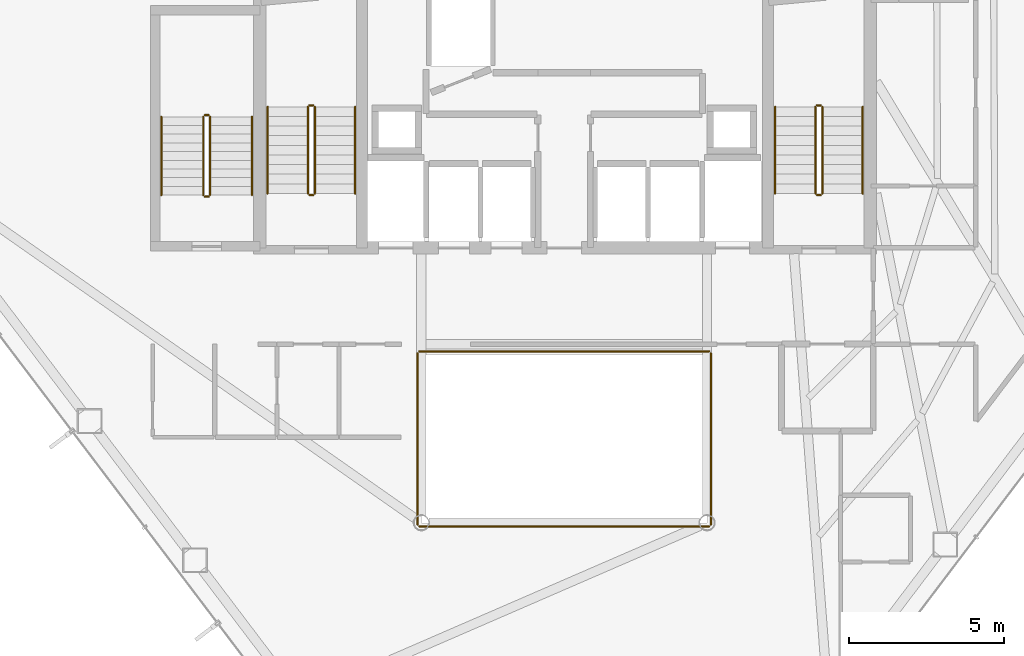
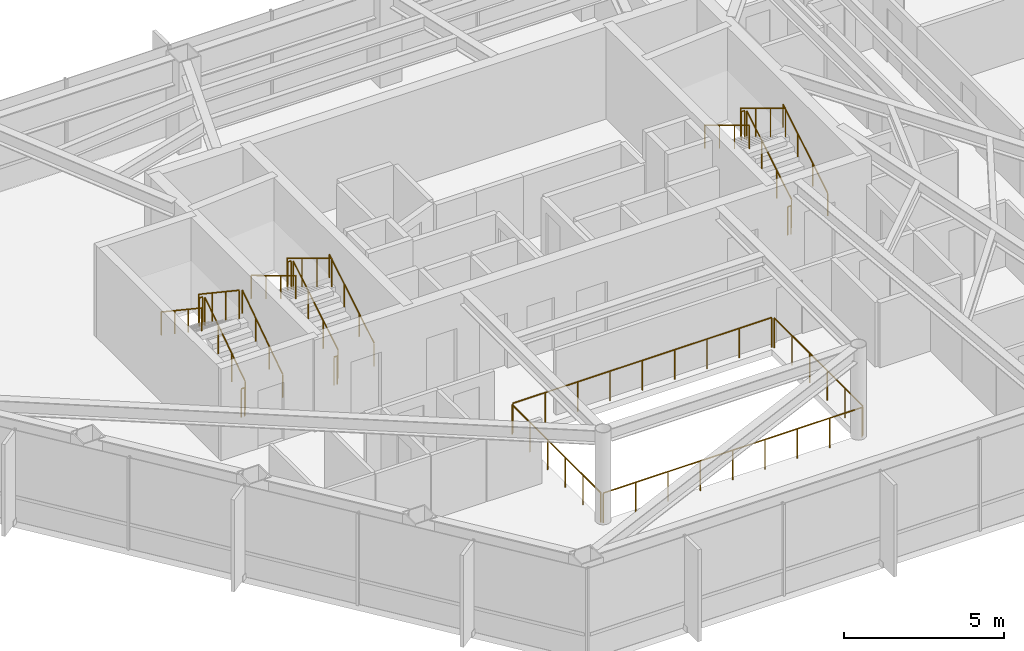
# One storey, part 28 of 28: 22 railings.
"""IFC4 building model written with IfcOpenShell, lengths in metres."""

from ifc_helpers import new_model, si_unit, direction, frame, origin, origin_2d, place, context, subcontext, project, spatial, circle, extrude, material, type_object, element, save


model = new_model("IFC4")

# Units and contexts
model_context = context("Model", 3, precision=1e-05, world=origin(), true_north=direction((0.0, 1.0)))
body_context = subcontext(model_context, "Body", "Model", "MODEL_VIEW")
ifc_project = project(units=[si_unit("LENGTHUNIT", "METRE"), si_unit("AREAUNIT", "SQUARE_METRE"), si_unit("VOLUMEUNIT", "CUBIC_METRE"), si_unit("PLANEANGLEUNIT", "RADIAN"), si_unit("MASSUNIT", "GRAM", prefix="KILO")], contexts=[model_context])

# Site, building, storey
site_placement = place(None, origin())
site = spatial("IfcSite", under=ifc_project, at=site_placement, CompositionType="ELEMENT")
building_placement = place(site_placement, origin())
building = spatial("IfcBuilding", under=site, at=building_placement, Name="Zarrinselat Tower", CompositionType="ELEMENT")
storey_placement = place(building_placement, frame((0.0, 0.0, 127.159912109375)))
storey = spatial("IfcBuildingStorey", under=building, at=storey_placement, Name="L30", CompositionType="ELEMENT", Elevation=127.159912109375)

# Railings
ifc_material_1 = material(Name="Double Low-E Laminated Solar Glass", Category="glass")
railing_type_1 = type_object("IfcRailingType", Name="RLG-ATRIUM-BAL", PredefinedType="BALUSTRADE", material=ifc_material_1)
railing_1_placement = place(storey_placement, frame((33.739990234375, 24.280029296875, 0.0)))
element("IfcRailing", 1, at=railing_1_placement, inside=storey, type_object=railing_type_1, Name="L30 Atrium Void Glass Balustrade S", PredefinedType="BALUSTRADE", context=body_context, shape_type="SweptSolid", body=[
    extrude(circle(Radius=0.02392578125, at=origin_2d()), frame((0.0, 0.0, 1.1259765625), z_axis=(1.0, 0.0, 0.0), x_axis=(0.0, 1.0, 0.0)), (0.0, 0.0, 1.0), 9.320068359375),
    extrude(circle(Radius=0.02099609375, at=origin_2d()), origin(), (0.0, 0.0, 1.0), 1.099853515625),
    extrude(circle(Radius=0.02099609375, at=origin_2d()), frame((1.1650390625, 0.0, 0.0)), (0.0, 0.0, 1.0), 1.099853515625),
    extrude(circle(Radius=0.02099609375, at=origin_2d()), frame((2.330078125, 0.0, 0.0)), (0.0, 0.0, 1.0), 1.099853515625),
    extrude(circle(Radius=0.02099609375, at=origin_2d()), frame((3.4951171875, 0.0, 0.0)), (0.0, 0.0, 1.0), 1.099853515625),
    extrude(circle(Radius=0.02099609375, at=origin_2d()), frame((4.66015625, 0.0, 0.0)), (0.0, 0.0, 1.0), 1.099853515625),
    extrude(circle(Radius=0.02099609375, at=origin_2d()), frame((5.824951171875, 0.0, 0.0)), (0.0, 0.0, 1.0), 1.099853515625),
    extrude(circle(Radius=0.02099609375, at=origin_2d()), frame((6.989990234375, 0.0, 0.0)), (0.0, 0.0, 1.0), 1.099853515625),
    extrude(circle(Radius=0.02099609375, at=origin_2d()), frame((8.155029296875, 0.0, 0.0)), (0.0, 0.0, 1.0), 1.099853515625),
    extrude(circle(Radius=0.02099609375, at=origin_2d()), frame((9.320068359375, 0.0, 0.0)), (0.0, 0.0, 1.0), 1.099853515625),
])
railing_2_placement = place(storey_placement, frame((43.1201171875, 24.340087890625, 0.0)))
element("IfcRailing", 2, at=railing_2_placement, inside=storey, type_object=railing_type_1, Name="L30 Atrium Void Glass Balustrade E", PredefinedType="BALUSTRADE", context=body_context, shape_type="SweptSolid", body=[
    extrude(circle(Radius=0.02392578125, at=origin_2d()), frame((0.0, 0.0, 1.1259765625), z_axis=(0.0, 1.0, 0.0), x_axis=(-1.0, 0.0, 0.0)), (0.0, 0.0, 1.0), 5.52001953125),
    extrude(circle(Radius=0.02099609375, at=origin_2d()), origin(), (0.0, 0.0, 1.0), 1.099853515625),
    extrude(circle(Radius=0.02099609375, at=origin_2d()), frame((0.0, 1.10400390625, 0.0)), (0.0, 0.0, 1.0), 1.099853515625),
    extrude(circle(Radius=0.02099609375, at=origin_2d()), frame((0.0, 2.2080078125, 0.0)), (0.0, 0.0, 1.0), 1.099853515625),
    extrude(circle(Radius=0.02099609375, at=origin_2d()), frame((0.0, 3.31201171875, 0.0)), (0.0, 0.0, 1.0), 1.099853515625),
    extrude(circle(Radius=0.02099609375, at=origin_2d()), frame((0.0, 4.416015625, 0.0)), (0.0, 0.0, 1.0), 1.099853515625),
    extrude(circle(Radius=0.02099609375, at=origin_2d()), frame((0.0, 5.52001953125, 0.0)), (0.0, 0.0, 1.0), 1.099853515625),
])
railing_3_placement = place(storey_placement, frame((43.06005859375, 29.919921875, 0.0)))
element("IfcRailing", 3, at=railing_3_placement, inside=storey, type_object=railing_type_1, Name="L30 Atrium Void Glass Balustrade N", PredefinedType="BALUSTRADE", context=body_context, shape_type="SweptSolid", body=[
    extrude(circle(Radius=0.02392578125, at=origin_2d()), frame((0.0, 0.0, 1.1259765625), z_axis=(-1.0, 0.0, 0.0), x_axis=(0.0, -1.0, 0.0)), (0.0, 0.0, 1.0), 9.320068359375),
    extrude(circle(Radius=0.02099609375, at=origin_2d()), origin(), (0.0, 0.0, 1.0), 1.099853515625),
    extrude(circle(Radius=0.02099609375, at=origin_2d()), frame((-1.1650390625, 0.0, 0.0)), (0.0, 0.0, 1.0), 1.099853515625),
    extrude(circle(Radius=0.02099609375, at=origin_2d()), frame((-2.330078125, 0.0, 0.0)), (0.0, 0.0, 1.0), 1.099853515625),
    extrude(circle(Radius=0.02099609375, at=origin_2d()), frame((-3.4951171875, 0.0, 0.0)), (0.0, 0.0, 1.0), 1.099853515625),
    extrude(circle(Radius=0.02099609375, at=origin_2d()), frame((-4.66015625, 0.0, 0.0)), (0.0, 0.0, 1.0), 1.099853515625),
    extrude(circle(Radius=0.02099609375, at=origin_2d()), frame((-5.824951171875, 0.0, 0.0)), (0.0, 0.0, 1.0), 1.099853515625),
    extrude(circle(Radius=0.02099609375, at=origin_2d()), frame((-6.989990234375, 0.0, 0.0)), (0.0, 0.0, 1.0), 1.099853515625),
    extrude(circle(Radius=0.02099609375, at=origin_2d()), frame((-8.155029296875, 0.0, 0.0)), (0.0, 0.0, 1.0), 1.099853515625),
    extrude(circle(Radius=0.02099609375, at=origin_2d()), frame((-9.320068359375, 0.0, 0.0)), (0.0, 0.0, 1.0), 1.099853515625),
])
railing_4_placement = place(storey_placement, frame((33.679931640625, 29.860107421875, 0.0)))
element("IfcRailing", 4, at=railing_4_placement, inside=storey, type_object=railing_type_1, Name="L30 Atrium Void Glass Balustrade W", PredefinedType="BALUSTRADE", context=body_context, shape_type="SweptSolid", body=[
    extrude(circle(Radius=0.02392578125, at=origin_2d()), frame((0.0, 0.0, 1.1259765625), z_axis=(0.0, -1.0, 0.0), x_axis=(1.0, 0.0, 0.0)), (0.0, 0.0, 1.0), 5.52001953125),
    extrude(circle(Radius=0.02099609375, at=origin_2d()), origin(), (0.0, 0.0, 1.0), 1.099853515625),
    extrude(circle(Radius=0.02099609375, at=origin_2d()), frame((0.0, -1.10400390625, 0.0)), (0.0, 0.0, 1.0), 1.099853515625),
    extrude(circle(Radius=0.02099609375, at=origin_2d()), frame((0.0, -2.2080078125, 0.0)), (0.0, 0.0, 1.0), 1.099853515625),
    extrude(circle(Radius=0.02099609375, at=origin_2d()), frame((0.0, -3.31201171875, 0.0)), (0.0, 0.0, 1.0), 1.099853515625),
    extrude(circle(Radius=0.02099609375, at=origin_2d()), frame((0.0, -4.416015625, 0.0)), (0.0, 0.0, 1.0), 1.099853515625),
    extrude(circle(Radius=0.02099609375, at=origin_2d()), frame((0.0, -5.52001953125, 0.0)), (0.0, 0.0, 1.0), 1.099853515625),
])
ifc_material_2 = material(Name="Steel S355J2", Category="steel")
railing_type_2 = type_object("IfcRailingType", Name="RLG-STAIR-GUARD", PredefinedType="GUARDRAIL", material=ifc_material_2)
railing_5_placement = place(storey_placement, frame((30.3701171875, 35.0, 0.18701171875)))
element("IfcRailing", 5, at=railing_5_placement, inside=storey, type_object=railing_type_2, Name="L30 ST-1 stair guard 1", PredefinedType="GUARDRAIL", context=body_context, shape_type="SweptSolid", body=[
    extrude(circle(Radius=0.02392578125, at=origin_2d()), frame((0.0, 0.0, 1.076171875), z_axis=(0.0, 0.856260799362, 0.516543747882), x_axis=(-1.0, 0.0, 0.0)), (0.0, 0.0, 1.0), 3.25830078125),
    extrude(circle(Radius=0.02099609375, at=origin_2d()), origin(), (0.0, 0.0, 1.0), 1.050048828125),
    extrude(circle(Radius=0.02099609375, at=origin_2d()), frame((0.0, 0.929931640625, 0.56103515625)), (0.0, 0.0, 1.0), 1.050048828125),
    extrude(circle(Radius=0.02099609375, at=origin_2d()), frame((0.0, 1.860107421875, 1.1220703125)), (0.0, 0.0, 1.0), 1.050048828125),
    extrude(circle(Radius=0.02099609375, at=origin_2d()), frame((0.0, 2.7900390625, 1.68310546875)), (0.0, 0.0, 1.0), 1.050048828125),
])
railing_6_placement = place(storey_placement, frame((30.320068359375, 37.840087890625, 1.8701171875)))
element("IfcRailing", 6, at=railing_6_placement, inside=storey, type_object=railing_type_2, Name="L30 ST-1 stair guard 2", PredefinedType="GUARDRAIL", context=body_context, shape_type="SweptSolid", body=[
    extrude(circle(Radius=0.02392578125, at=origin_2d()), frame((0.0, 0.0, 1.076171875), z_axis=(-1.0, 0.0, 0.0), x_axis=(0.0, -1.0, 0.0)), (0.0, 0.0, 1.0), 0.1201171875),
    extrude(circle(Radius=0.02099609375, at=origin_2d()), origin(), (0.0, 0.0, 1.0), 1.050048828125),
    extrude(circle(Radius=0.02099609375, at=origin_2d()), frame((-0.1201171875, 0.0, 0.0)), (0.0, 0.0, 1.0), 1.050048828125),
])
railing_7_placement = place(storey_placement, frame((30.14990234375, 37.7900390625, 2.05712890625)))
element("IfcRailing", 7, at=railing_7_placement, inside=storey, type_object=railing_type_2, Name="L30 ST-1 stair guard 3", PredefinedType="GUARDRAIL", context=body_context, shape_type="SweptSolid", body=[
    extrude(circle(Radius=0.02392578125, at=origin_2d()), frame((0.0, 0.0, 1.076171875), z_axis=(0.0, -0.856293938615, 0.516488809842), x_axis=(1.0, 0.0, 0.0)), (0.0, 0.0, 1.0), 3.25830078125),
    extrude(circle(Radius=0.02099609375, at=origin_2d()), origin(), (0.0, 0.0, 1.0), 1.050048828125),
    extrude(circle(Radius=0.02099609375, at=origin_2d()), frame((0.0, -0.929931640625, 0.56103515625)), (0.0, 0.0, 1.0), 1.050048828125),
    extrude(circle(Radius=0.02099609375, at=origin_2d()), frame((0.0, -1.860107421875, 1.121826171875)), (0.0, 0.0, 1.0), 1.050048828125),
    extrude(circle(Radius=0.02099609375, at=origin_2d()), frame((0.0, -2.7900390625, 1.682861328125)), (0.0, 0.0, 1.0), 1.050048828125),
])
railing_8_placement = place(storey_placement, frame((30.320068359375, 34.949951171875, 0.0)))
element("IfcRailing", 8, at=railing_8_placement, inside=storey, type_object=railing_type_2, Name="L30 ST-1 stair guard 4", PredefinedType="GUARDRAIL", context=body_context, shape_type="SweptSolid", body=[
    extrude(circle(Radius=0.02392578125, at=origin_2d()), frame((0.0, 0.0, 1.076171875), z_axis=(-1.0, 0.0, 0.0), x_axis=(0.0, -1.0, 0.0)), (0.0, 0.0, 1.0), 0.1201171875),
    extrude(circle(Radius=0.02099609375, at=origin_2d()), origin(), (0.0, 0.0, 1.0), 1.050048828125),
    extrude(circle(Radius=0.02099609375, at=origin_2d()), frame((-0.1201171875, 0.0, 0.0)), (0.0, 0.0, 1.0), 1.050048828125),
])
railing_9_placement = place(storey_placement, frame((46.7099609375, 35.0, 0.18701171875)))
element("IfcRailing", 9, at=railing_9_placement, inside=storey, type_object=railing_type_2, Name="L30 ST-2 stair guard 1", PredefinedType="GUARDRAIL", context=body_context, shape_type="SweptSolid", body=[
    extrude(circle(Radius=0.02392578125, at=origin_2d()), frame((0.0, 0.0, 1.076171875), z_axis=(0.0, 0.856260799362, 0.516543747882), x_axis=(-1.0, 0.0, 0.0)), (0.0, 0.0, 1.0), 3.25830078125),
    extrude(circle(Radius=0.02099609375, at=origin_2d()), origin(), (0.0, 0.0, 1.0), 1.050048828125),
    extrude(circle(Radius=0.02099609375, at=origin_2d()), frame((0.0, 0.929931640625, 0.56103515625)), (0.0, 0.0, 1.0), 1.050048828125),
    extrude(circle(Radius=0.02099609375, at=origin_2d()), frame((0.0, 1.860107421875, 1.1220703125)), (0.0, 0.0, 1.0), 1.050048828125),
    extrude(circle(Radius=0.02099609375, at=origin_2d()), frame((0.0, 2.7900390625, 1.68310546875)), (0.0, 0.0, 1.0), 1.050048828125),
])
railing_10_placement = place(storey_placement, frame((46.659912109375, 37.840087890625, 1.8701171875)))
element("IfcRailing", 10, at=railing_10_placement, inside=storey, type_object=railing_type_2, Name="L30 ST-2 stair guard 2", PredefinedType="GUARDRAIL", context=body_context, shape_type="SweptSolid", body=[
    extrude(circle(Radius=0.02392578125, at=origin_2d()), frame((0.0, 0.0, 1.076171875), z_axis=(-1.0, 0.0, 0.0), x_axis=(0.0, -1.0, 0.0)), (0.0, 0.0, 1.0), 0.119873046875),
    extrude(circle(Radius=0.02099609375, at=origin_2d()), origin(), (0.0, 0.0, 1.0), 1.050048828125),
    extrude(circle(Radius=0.02099609375, at=origin_2d()), frame((-0.119873046875, 0.0, 0.0)), (0.0, 0.0, 1.0), 1.050048828125),
])
railing_11_placement = place(storey_placement, frame((46.489990234375, 37.7900390625, 2.05712890625)))
element("IfcRailing", 11, at=railing_11_placement, inside=storey, type_object=railing_type_2, Name="L30 ST-2 stair guard 3", PredefinedType="GUARDRAIL", context=body_context, shape_type="SweptSolid", body=[
    extrude(circle(Radius=0.02392578125, at=origin_2d()), frame((0.0, 0.0, 1.076171875), z_axis=(0.0, -0.856293938615, 0.516488809842), x_axis=(1.0, 0.0, 0.0)), (0.0, 0.0, 1.0), 3.25830078125),
    extrude(circle(Radius=0.02099609375, at=origin_2d()), origin(), (0.0, 0.0, 1.0), 1.050048828125),
    extrude(circle(Radius=0.02099609375, at=origin_2d()), frame((0.0, -0.929931640625, 0.56103515625)), (0.0, 0.0, 1.0), 1.050048828125),
    extrude(circle(Radius=0.02099609375, at=origin_2d()), frame((0.0, -1.860107421875, 1.121826171875)), (0.0, 0.0, 1.0), 1.050048828125),
    extrude(circle(Radius=0.02099609375, at=origin_2d()), frame((0.0, -2.7900390625, 1.682861328125)), (0.0, 0.0, 1.0), 1.050048828125),
])
railing_12_placement = place(storey_placement, frame((46.659912109375, 34.949951171875, 0.0)))
element("IfcRailing", 12, at=railing_12_placement, inside=storey, type_object=railing_type_2, Name="L30 ST-2 stair guard 4", PredefinedType="GUARDRAIL", context=body_context, shape_type="SweptSolid", body=[
    extrude(circle(Radius=0.02392578125, at=origin_2d()), frame((0.0, 0.0, 1.076171875), z_axis=(-1.0, 0.0, 0.0), x_axis=(0.0, -1.0, 0.0)), (0.0, 0.0, 1.0), 0.119873046875),
    extrude(circle(Radius=0.02099609375, at=origin_2d()), origin(), (0.0, 0.0, 1.0), 1.050048828125),
    extrude(circle(Radius=0.02099609375, at=origin_2d()), frame((-0.119873046875, 0.0, 0.0)), (0.0, 0.0, 1.0), 1.050048828125),
])
railing_13_placement = place(storey_placement, frame((27.0, 34.949951171875, 0.18701171875)))
element("IfcRailing", 13, at=railing_13_placement, inside=storey, type_object=railing_type_2, Name="L30 ST-3 stair guard 1", PredefinedType="GUARDRAIL", context=body_context, shape_type="SweptSolid", body=[
    extrude(circle(Radius=0.02392578125, at=origin_2d()), frame((0.0, 0.0, 1.076171875), z_axis=(0.0, 0.831579006341, 0.555406478368), x_axis=(-1.0, 0.0, 0.0)), (0.0, 0.0, 1.0), 3.030517578125),
    extrude(circle(Radius=0.02099609375, at=origin_2d()), origin(), (0.0, 0.0, 1.0), 1.050048828125),
    extrude(circle(Radius=0.02099609375, at=origin_2d()), frame((0.0, 0.840087890625, 0.56103515625)), (0.0, 0.0, 1.0), 1.050048828125),
    extrude(circle(Radius=0.02099609375, at=origin_2d()), frame((0.0, 1.679931640625, 1.1220703125)), (0.0, 0.0, 1.0), 1.050048828125),
    extrude(circle(Radius=0.02099609375, at=origin_2d()), frame((0.0, 2.52001953125, 1.68310546875)), (0.0, 0.0, 1.0), 1.050048828125),
])
railing_14_placement = place(storey_placement, frame((26.949951171875, 37.52001953125, 1.8701171875)))
element("IfcRailing", 14, at=railing_14_placement, inside=storey, type_object=railing_type_2, Name="L30 ST-3 stair guard 2", PredefinedType="GUARDRAIL", context=body_context, shape_type="SweptSolid", body=[
    extrude(circle(Radius=0.02392578125, at=origin_2d()), frame((0.0, 0.0, 1.076171875), z_axis=(-1.0, 0.0, 0.0), x_axis=(0.0, -1.0, 0.0)), (0.0, 0.0, 1.0), 0.119873046875),
    extrude(circle(Radius=0.02099609375, at=origin_2d()), origin(), (0.0, 0.0, 1.0), 1.050048828125),
    extrude(circle(Radius=0.02099609375, at=origin_2d()), frame((-0.119873046875, 0.0, 0.0)), (0.0, 0.0, 1.0), 1.050048828125),
])
railing_15_placement = place(storey_placement, frame((26.780029296875, 37.469970703125, 2.05712890625)))
element("IfcRailing", 15, at=railing_15_placement, inside=storey, type_object=railing_type_2, Name="L30 ST-3 stair guard 3", PredefinedType="GUARDRAIL", context=body_context, shape_type="SweptSolid", body=[
    extrude(circle(Radius=0.02392578125, at=origin_2d()), frame((0.0, 0.0, 1.076171875), z_axis=(0.0, -0.831616215664, 0.555350762892), x_axis=(1.0, 0.0, 0.0)), (0.0, 0.0, 1.0), 3.0302734375),
    extrude(circle(Radius=0.02099609375, at=origin_2d()), origin(), (0.0, 0.0, 1.0), 1.050048828125),
    extrude(circle(Radius=0.02099609375, at=origin_2d()), frame((0.0, -0.840087890625, 0.56103515625)), (0.0, 0.0, 1.0), 1.050048828125),
    extrude(circle(Radius=0.02099609375, at=origin_2d()), frame((0.0, -1.679931640625, 1.121826171875)), (0.0, 0.0, 1.0), 1.050048828125),
    extrude(circle(Radius=0.02099609375, at=origin_2d()), frame((0.0, -2.52001953125, 1.682861328125)), (0.0, 0.0, 1.0), 1.050048828125),
])
railing_16_placement = place(storey_placement, frame((26.949951171875, 34.89990234375, 0.0)))
element("IfcRailing", 16, at=railing_16_placement, inside=storey, type_object=railing_type_2, Name="L30 ST-3 stair guard 4", PredefinedType="GUARDRAIL", context=body_context, shape_type="SweptSolid", body=[
    extrude(circle(Radius=0.02392578125, at=origin_2d()), frame((0.0, 0.0, 1.076171875), z_axis=(-1.0, 0.0, 0.0), x_axis=(0.0, -1.0, 0.0)), (0.0, 0.0, 1.0), 0.119873046875),
    extrude(circle(Radius=0.02099609375, at=origin_2d()), origin(), (0.0, 0.0, 1.0), 1.050048828125),
    extrude(circle(Radius=0.02099609375, at=origin_2d()), frame((-0.119873046875, 0.0, 0.0)), (0.0, 0.0, 1.0), 1.050048828125),
])
ifc_material_3 = material(Name="Steel S355J2", Category="steel")
railing_type_3 = type_object("IfcRailingType", Name="RLG-STAIR-HAND", PredefinedType="HANDRAIL", material=ifc_material_3)
railing_17_placement = place(storey_placement, frame((31.669921875, 35.0, 0.18701171875)))
element("IfcRailing", 17, at=railing_17_placement, inside=storey, type_object=railing_type_3, Name="L30 ST-1 stair handrail 1", PredefinedType="HANDRAIL", context=body_context, shape_type="SweptSolid", body=[
    extrude(circle(Radius=0.02392578125, at=origin_2d()), frame((0.0, 0.0, 0.8759765625), z_axis=(0.0, 0.856260799362, 0.516543747882), x_axis=(-1.0, 0.0, 0.0)), (0.0, 0.0, 1.0), 3.25830078125),
    extrude(circle(Radius=0.02099609375, at=origin_2d()), origin(), (0.0, 0.0, 1.0), 0.849853515625),
    extrude(circle(Radius=0.02099609375, at=origin_2d()), frame((0.0, 0.929931640625, 0.56103515625)), (0.0, 0.0, 1.0), 0.849853515625),
    extrude(circle(Radius=0.02099609375, at=origin_2d()), frame((0.0, 1.860107421875, 1.1220703125)), (0.0, 0.0, 1.0), 0.849853515625),
    extrude(circle(Radius=0.02099609375, at=origin_2d()), frame((0.0, 2.7900390625, 1.68310546875)), (0.0, 0.0, 1.0), 0.849853515625),
])
railing_18_placement = place(storey_placement, frame((28.85009765625, 37.7900390625, 2.05712890625)))
element("IfcRailing", 18, at=railing_18_placement, inside=storey, type_object=railing_type_3, Name="L30 ST-1 stair handrail 2", PredefinedType="HANDRAIL", context=body_context, shape_type="SweptSolid", body=[
    extrude(circle(Radius=0.02392578125, at=origin_2d()), frame((0.0, 0.0, 0.8759765625), z_axis=(0.0, -0.856293938615, 0.516488809842), x_axis=(1.0, 0.0, 0.0)), (0.0, 0.0, 1.0), 3.25830078125),
    extrude(circle(Radius=0.02099609375, at=origin_2d()), origin(), (0.0, 0.0, 1.0), 0.849853515625),
    extrude(circle(Radius=0.02099609375, at=origin_2d()), frame((0.0, -0.929931640625, 0.56103515625)), (0.0, 0.0, 1.0), 0.849853515625),
    extrude(circle(Radius=0.02099609375, at=origin_2d()), frame((0.0, -1.860107421875, 1.121826171875)), (0.0, 0.0, 1.0), 0.849853515625),
    extrude(circle(Radius=0.02099609375, at=origin_2d()), frame((0.0, -2.7900390625, 1.682861328125)), (0.0, 0.0, 1.0), 0.849853515625),
])
railing_19_placement = place(storey_placement, frame((48.010009765625, 35.0, 0.18701171875)))
element("IfcRailing", 19, at=railing_19_placement, inside=storey, type_object=railing_type_3, Name="L30 ST-2 stair handrail 1", PredefinedType="HANDRAIL", context=body_context, shape_type="SweptSolid", body=[
    extrude(circle(Radius=0.02392578125, at=origin_2d()), frame((0.0, 0.0, 0.8759765625), z_axis=(0.0, 0.856260799362, 0.516543747882), x_axis=(-1.0, 0.0, 0.0)), (0.0, 0.0, 1.0), 3.25830078125),
    extrude(circle(Radius=0.02099609375, at=origin_2d()), origin(), (0.0, 0.0, 1.0), 0.849853515625),
    extrude(circle(Radius=0.02099609375, at=origin_2d()), frame((0.0, 0.929931640625, 0.56103515625)), (0.0, 0.0, 1.0), 0.849853515625),
    extrude(circle(Radius=0.02099609375, at=origin_2d()), frame((0.0, 1.860107421875, 1.1220703125)), (0.0, 0.0, 1.0), 0.849853515625),
    extrude(circle(Radius=0.02099609375, at=origin_2d()), frame((0.0, 2.7900390625, 1.68310546875)), (0.0, 0.0, 1.0), 0.849853515625),
])
railing_20_placement = place(storey_placement, frame((45.18994140625, 37.7900390625, 2.05712890625)))
element("IfcRailing", 20, at=railing_20_placement, inside=storey, type_object=railing_type_3, Name="L30 ST-2 stair handrail 2", PredefinedType="HANDRAIL", context=body_context, shape_type="SweptSolid", body=[
    extrude(circle(Radius=0.02392578125, at=origin_2d()), frame((0.0, 0.0, 0.8759765625), z_axis=(0.0, -0.856293938615, 0.516488809842), x_axis=(1.0, 0.0, 0.0)), (0.0, 0.0, 1.0), 3.25830078125),
    extrude(circle(Radius=0.02099609375, at=origin_2d()), origin(), (0.0, 0.0, 1.0), 0.849853515625),
    extrude(circle(Radius=0.02099609375, at=origin_2d()), frame((0.0, -0.929931640625, 0.56103515625)), (0.0, 0.0, 1.0), 0.849853515625),
    extrude(circle(Radius=0.02099609375, at=origin_2d()), frame((0.0, -1.860107421875, 1.121826171875)), (0.0, 0.0, 1.0), 0.849853515625),
    extrude(circle(Radius=0.02099609375, at=origin_2d()), frame((0.0, -2.7900390625, 1.682861328125)), (0.0, 0.0, 1.0), 0.849853515625),
])
railing_21_placement = place(storey_placement, frame((28.35009765625, 34.949951171875, 0.18701171875)))
element("IfcRailing", 21, at=railing_21_placement, inside=storey, type_object=railing_type_3, Name="L30 ST-3 stair handrail 1", PredefinedType="HANDRAIL", context=body_context, shape_type="SweptSolid", body=[
    extrude(circle(Radius=0.02392578125, at=origin_2d()), frame((0.0, 0.0, 0.8759765625), z_axis=(0.0, 0.831579006341, 0.555406478368), x_axis=(-1.0, 0.0, 0.0)), (0.0, 0.0, 1.0), 3.030517578125),
    extrude(circle(Radius=0.02099609375, at=origin_2d()), origin(), (0.0, 0.0, 1.0), 0.849853515625),
    extrude(circle(Radius=0.02099609375, at=origin_2d()), frame((0.0, 0.840087890625, 0.56103515625)), (0.0, 0.0, 1.0), 0.849853515625),
    extrude(circle(Radius=0.02099609375, at=origin_2d()), frame((0.0, 1.679931640625, 1.1220703125)), (0.0, 0.0, 1.0), 0.849853515625),
    extrude(circle(Radius=0.02099609375, at=origin_2d()), frame((0.0, 2.52001953125, 1.68310546875)), (0.0, 0.0, 1.0), 0.849853515625),
])
railing_22_placement = place(storey_placement, frame((25.429931640625, 37.469970703125, 2.05712890625)))
element("IfcRailing", 22, at=railing_22_placement, inside=storey, type_object=railing_type_3, Name="L30 ST-3 stair handrail 2", PredefinedType="HANDRAIL", context=body_context, shape_type="SweptSolid", body=[
    extrude(circle(Radius=0.02392578125, at=origin_2d()), frame((0.0, 0.0, 0.8759765625), z_axis=(0.0, -0.831616215664, 0.555350762892), x_axis=(1.0, 0.0, 0.0)), (0.0, 0.0, 1.0), 3.0302734375),
    extrude(circle(Radius=0.02099609375, at=origin_2d()), origin(), (0.0, 0.0, 1.0), 0.849853515625),
    extrude(circle(Radius=0.02099609375, at=origin_2d()), frame((0.0, -0.840087890625, 0.56103515625)), (0.0, 0.0, 1.0), 0.849853515625),
    extrude(circle(Radius=0.02099609375, at=origin_2d()), frame((0.0, -1.679931640625, 1.121826171875)), (0.0, 0.0, 1.0), 0.849853515625),
    extrude(circle(Radius=0.02099609375, at=origin_2d()), frame((0.0, -2.52001953125, 1.682861328125)), (0.0, 0.0, 1.0), 0.849853515625),
])

save(model, "model.ifc")
